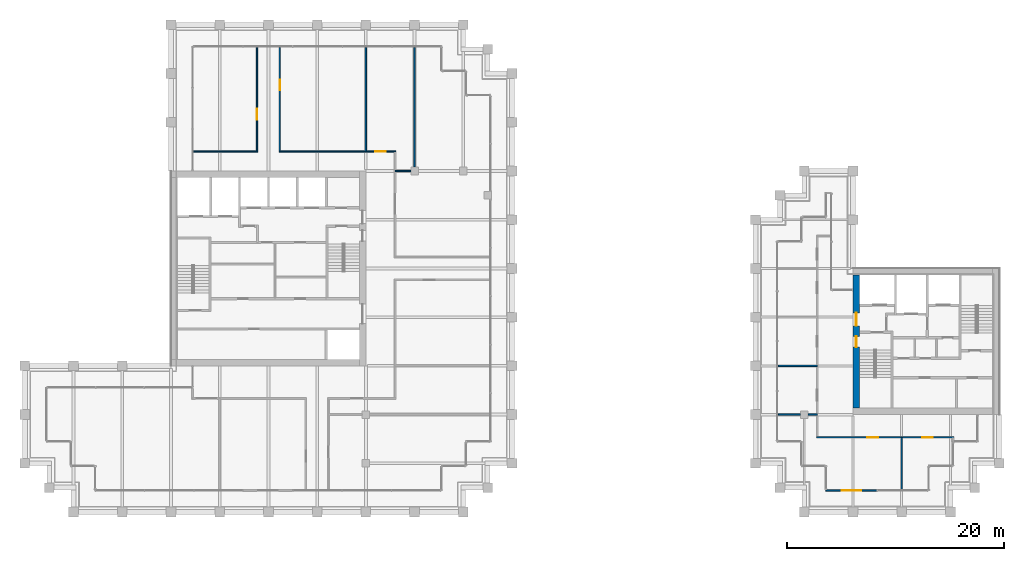
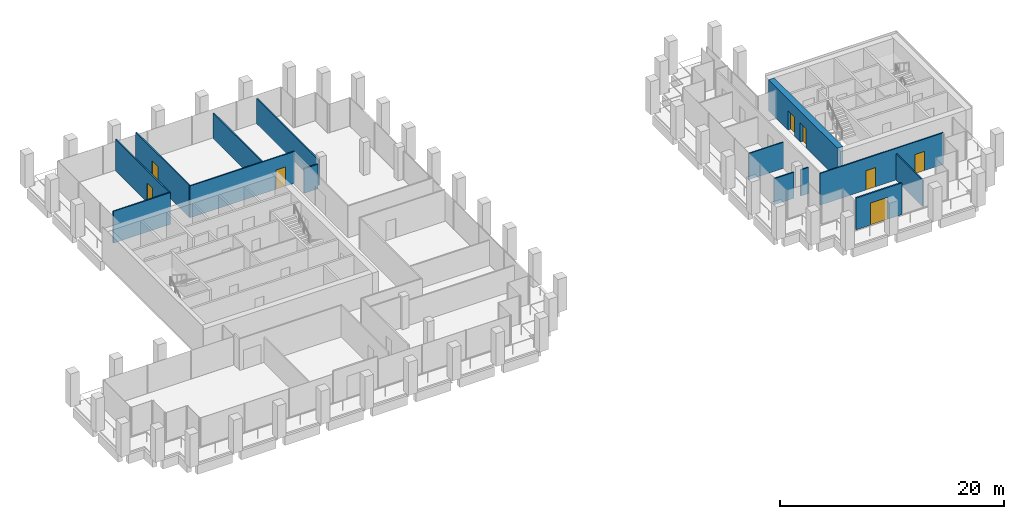
# One storey, part 37 of 40: 14 walls, 8 doors, 8 openings.
"""IFC4 building model written with IfcOpenShell, lengths in metres."""

from ifc_helpers import new_model, si_unit, direction, frame, frame_2d, origin, place, context, subcontext, project, spatial, rectangle, extrude, material, layer, layer_set, type_object, element, fill, save


model = new_model("IFC4")

# Units and contexts
model_context = context("Model", 3, precision=1e-05, world=origin(), true_north=direction((0.0, 1.0)))
body_context = subcontext(model_context, "Body", "Model", "MODEL_VIEW")
ifc_project = project(units=[si_unit("LENGTHUNIT", "METRE"), si_unit("AREAUNIT", "SQUARE_METRE"), si_unit("VOLUMEUNIT", "CUBIC_METRE"), si_unit("PLANEANGLEUNIT", "RADIAN"), si_unit("MASSUNIT", "GRAM", prefix="KILO")], contexts=[model_context])

# Site, building, storey
site_placement = place(None, origin())
site = spatial("IfcSite", under=ifc_project, at=site_placement, CompositionType="ELEMENT")
building_placement = place(site_placement, origin())
building = spatial("IfcBuilding", under=site, at=building_placement, Name="Altepetl Exchange Towers", CompositionType="ELEMENT")
storey_placement = place(building_placement, frame((0.0, 0.0, 183.39990234375)))
storey = spatial("IfcBuildingStorey", under=building, at=storey_placement, Name="L46", CompositionType="ELEMENT", Elevation=183.39990234375)

# Wall, openings, doors
ifc_material_1 = material(Name="Concrete C70/85", Category="concrete")
ifc_layer_1 = layer(ifc_material_1, 0.60009765625)
ifc_layer_set_1 = layer_set([ifc_layer_1], Name="Concrete C70/85")
wall_type_1 = type_object("IfcWallType", Name="Core wall 600 reinforced concrete", PredefinedType="SHEAR", material=ifc_layer_set_1)
wall_1_placement = place(storey_placement, frame((103.800048828125, 36.60009765625, 0.0), z_axis=(0.0, 0.0, 1.0), x_axis=(0.0, 1.0, 0.0)))
wall_1 = element("IfcWall", 1, at=wall_1_placement, inside=storey, type_object=wall_type_1, Name="wall:B:L46:K-coreW", PredefinedType="SHEAR", context=body_context, shape_type="SweptSolid", body=[
    extrude(rectangle(XDim=12.2998046875, YDim=0.60009765625, at=frame_2d((6.14990234375, 0.0))), origin(), (0.0, 0.0, 1.0), 3.35009765625),
])
opening_1_placement = place(wall_1_placement, frame((7.60009765625, 0.0, 0.0)))
opening_1 = element("IfcOpeningElement", 2, at=opening_1_placement, cuts=wall_1, Name="Opening L46.B60", PredefinedType="OPENING", context=body_context, shape_type="SweptSolid", body=[
    extrude(rectangle(XDim=1.199951171875, YDim=2.10009765625, at=frame_2d((0.60009765625, 1.050048828125))), frame((0.0, 0.31005859375, 0.0), z_axis=(0.0, -1.0, 0.0), x_axis=(1.0, 0.0, 0.0)), (0.0, 0.0, 1.0), 0.6201171875),
])
opening_2_placement = place(wall_1_placement, frame((5.625, 0.0, 0.0)))
opening_2 = element("IfcOpeningElement", 3, at=opening_2_placement, cuts=wall_1, Name="Opening L46.B62", PredefinedType="OPENING", context=body_context, shape_type="SweptSolid", body=[
    extrude(rectangle(XDim=1.0, YDim=2.10009765625, at=frame_2d((0.5, 1.050048828125))), frame((0.0, 0.31005859375, 0.0), z_axis=(0.0, -1.0, 0.0), x_axis=(1.0, 0.0, 0.0)), (0.0, 0.0, 1.0), 0.6201171875),
])
ifc_material_2 = material(Name="Steel and timber fire door", Category="steel")
door_type_1 = type_object("IfcDoorType", Name="Fire door 1000 x 2100 stair and lobby", OperationType="SINGLE_SWING_LEFT", PredefinedType="DOOR", material=ifc_material_2)
door_1_placement = place(opening_2_placement, frame((1.0, 0.0, 0.0), x_axis=(-1.0, 0.0, 0.0)))
door_1 = element("IfcDoor", 4, at=door_1_placement, inside=storey, type_object=door_type_1, Name="door:B:L46:K-dS1x", OperationType="SINGLE_SWING_RIGHT", OverallHeight=2.10009765625, OverallWidth=1.0, PredefinedType="DOOR", context=body_context, shape_type="SweptSolid", body=[
    extrude(rectangle(XDim=1.0, YDim=2.10009765625, at=frame_2d((0.5, 1.050048828125))), frame((0.0, 0.02490234375, 0.0), z_axis=(0.0, -1.0, 0.0), x_axis=(1.0, 0.0, 0.0)), (0.0, 0.0, 1.0), 0.050048828125),
])
fill(opening_2, door_1)
door_type_2 = type_object("IfcDoorType", Name="Fire door 1200 x 2100 lobby entry", OperationType="SINGLE_SWING_LEFT", PredefinedType="DOOR", material=ifc_material_2)
door_2_placement = place(opening_1_placement, frame((1.199951171875, 0.0, 0.0), x_axis=(-1.0, 0.0, 0.0)))
door_2 = element("IfcDoor", 5, at=door_2_placement, inside=storey, type_object=door_type_2, Name="door:B:L46:K-dLNW", OperationType="SINGLE_SWING_RIGHT", OverallHeight=2.10009765625, OverallWidth=1.199951171875, PredefinedType="DOOR", context=body_context, shape_type="SweptSolid", body=[
    extrude(rectangle(XDim=1.199951171875, YDim=2.10009765625, at=frame_2d((0.60009765625, 1.050048828125))), frame((0.0, 0.02490234375, 0.0), z_axis=(0.0, -1.0, 0.0), x_axis=(1.0, 0.0, 0.0)), (0.0, 0.0, 1.0), 0.050048828125),
])
fill(opening_1, door_2)

# Wall, opening, door
ifc_material_3 = material(Name="Aluminium composite cladding", Category="aluminium")
ifc_layer_2 = layer(ifc_material_3, 0.14990234375)
ifc_layer_set_2 = layer_set([ifc_layer_2], Name="Aluminium composite cladding")
wall_type_2 = type_object("IfcWallType", Name="Infill wall 150 aluminium panel", PredefinedType="SOLIDWALL", material=ifc_layer_set_2)
wall_2_placement = place(storey_placement, frame((101.0, 29.0, 0.0)))
wall_2 = element("IfcWall", 6, at=wall_2_placement, inside=storey, type_object=wall_type_2, Name="Loggia door bay wall", PredefinedType="SOLIDWALL", context=body_context, shape_type="SweptSolid", body=[
    extrude(rectangle(XDim=4.71240234375, YDim=0.14990234375, at=frame_2d((2.356201171875, 0.0))), origin(), (0.0, 0.0, 1.0), 3.4501953125),
])
opening_3_placement = place(wall_2_placement, frame((1.456298828125, 0.0, 0.0)))
opening_3 = element("IfcOpeningElement", 7, at=opening_3_placement, cuts=wall_2, Name="Opening L46.B90", PredefinedType="OPENING", context=body_context, shape_type="SweptSolid", body=[
    extrude(rectangle(XDim=1.800048828125, YDim=2.39990234375, at=frame_2d((0.89990234375, 1.199951171875))), frame((0.0, 0.0849609375, 0.0), z_axis=(0.0, -1.0, 0.0), x_axis=(1.0, 0.0, 0.0)), (0.0, 0.0, 1.0), 0.169921875),
])
ifc_material_4 = material(Name="Aluminium 6063-T6 and glass", Category="aluminium")
door_type_3 = type_object("IfcDoorType", Name="Glazed door pair 1800x2400", OperationType="DOUBLE_DOOR_DOUBLE_SWING", PredefinedType="NOTDEFINED", material=ifc_material_4)
door_3_placement = place(opening_3_placement, frame((1.800048828125, 0.0, 0.0), x_axis=(-1.0, 0.0, 0.0)))
door_3 = element("IfcDoor", 8, at=door_3_placement, inside=storey, type_object=door_type_3, Name="Loggia door", OperationType="DOUBLE_DOOR_DOUBLE_SWING", OverallHeight=2.39990234375, OverallWidth=1.800048828125, PredefinedType="NOTDEFINED", context=body_context, shape_type="SweptSolid", body=[
    extrude(rectangle(XDim=1.800048828125, YDim=2.39990234375, at=frame_2d((0.89990234375, 1.199951171875))), frame((0.0, 0.02490234375, 0.0), z_axis=(0.0, -1.0, 0.0), x_axis=(1.0, 0.0, 0.0)), (0.0, 0.0, 1.0), 0.050048828125),
])
fill(opening_3, door_3)

# Walls
ifc_material_5 = material(Name="Gypsum board on steel studs", Category="steel")
ifc_layer_3 = layer(ifc_material_5, 0.125)
ifc_layer_set_3 = layer_set([ifc_layer_3], Name="Gypsum board on steel studs")
wall_type_3 = type_object("IfcWallType", Name="Partition 125 gypsum board on steel studs", PredefinedType="PARTITIONING", material=ifc_layer_set_3)
wall_3_placement = place(storey_placement, frame((61.199951171875, 58.5, 0.0)))
element("IfcWall", 9, at=wall_3_placement, inside=storey, type_object=wall_type_3, Name="wall:A:L46:P08", PredefinedType="PARTITIONING", context=body_context, shape_type="SweptSolid", body=[
    extrude(rectangle(XDim=1.449951171875, YDim=0.125, at=frame_2d((0.72509765625, 0.0))), origin(), (0.0, 0.0, 1.0), 2.676025390625),
])
wall_4_placement = place(storey_placement, frame((42.60009765625, 60.300048828125, 0.0)))
element("IfcWall", 10, at=wall_4_placement, inside=storey, type_object=wall_type_3, Name="wall:A:L46:P09", PredefinedType="PARTITIONING", context=body_context, shape_type="SweptSolid", body=[
    extrude(rectangle(XDim=5.912353515625, YDim=0.125, at=frame_2d((2.9560546875, 0.0))), origin(), (0.0, 0.0, 1.0), 3.4501953125),
])

# Wall, opening, door
wall_5_placement = place(storey_placement, frame((50.487548828125, 60.300048828125, 0.0)))
wall_5 = element("IfcWall", 11, at=wall_5_placement, inside=storey, type_object=wall_type_3, Name="wall:A:L46:P10", PredefinedType="PARTITIONING", context=body_context, shape_type="SweptSolid", body=[
    extrude(rectangle(XDim=10.77490234375, YDim=0.125, at=frame_2d((5.387451171875, 0.0))), origin(), (0.0, 0.0, 1.0), 3.4501953125),
])
opening_4_placement = place(wall_5_placement, frame((8.862548828125, 0.0, 0.0)))
opening_4 = element("IfcOpeningElement", 12, at=opening_4_placement, cuts=wall_5, Name="Opening L46.A07", PredefinedType="OPENING", context=body_context, shape_type="SweptSolid", body=[
    extrude(rectangle(XDim=1.0, YDim=2.10009765625, at=frame_2d((0.5, 1.050048828125))), frame((0.0, 0.072509765625, 0.0), z_axis=(0.0, -1.0, 0.0), x_axis=(1.0, 0.0, 0.0)), (0.0, 0.0, 1.0), 0.14501953125),
])
door_type_4 = type_object("IfcDoorType", Name="Fire door 1000 x 2100 single leaf", OperationType="SINGLE_SWING_LEFT", PredefinedType="DOOR", material=ifc_material_2)
door_4_placement = place(opening_4_placement, origin())
door_4 = element("IfcDoor", 13, at=door_4_placement, inside=storey, type_object=door_type_4, Name="door:A:L46:07", OperationType="SINGLE_SWING_RIGHT", OverallHeight=2.10009765625, OverallWidth=1.0, PredefinedType="DOOR", context=body_context, shape_type="SweptSolid", body=[
    extrude(rectangle(XDim=1.0, YDim=2.10009765625, at=frame_2d((0.5, 1.050048828125))), frame((0.0, 0.02490234375, 0.0), z_axis=(0.0, -1.0, 0.0), x_axis=(1.0, 0.0, 0.0)), (0.0, 0.0, 1.0), 0.050048828125),
])
fill(opening_4, door_4)

wall_6_placement = place(storey_placement, frame((48.449951171875, 60.362548828125, 0.0), z_axis=(0.0, 0.0, 1.0), x_axis=(0.0, 1.0, 0.0)))
wall_6 = element("IfcWall", 14, at=wall_6_placement, inside=storey, type_object=wall_type_3, Name="wall:A:L46:P13", PredefinedType="PARTITIONING", context=body_context, shape_type="SweptSolid", body=[
    extrude(rectangle(XDim=9.537353515625, YDim=0.125, at=frame_2d((4.7685546875, 0.0))), origin(), (0.0, 0.0, 1.0), 3.4501953125),
])
opening_5_placement = place(wall_6_placement, frame((2.889404296875, 0.0, 0.0)))
opening_5 = element("IfcOpeningElement", 15, at=opening_5_placement, cuts=wall_6, Name="Opening L46.A08", PredefinedType="OPENING", context=body_context, shape_type="SweptSolid", body=[
    extrude(rectangle(XDim=1.0, YDim=2.10009765625, at=frame_2d((0.5, 1.050048828125))), frame((0.0, 0.072509765625, 0.0), z_axis=(0.0, -1.0, 0.0), x_axis=(1.0, 0.0, 0.0)), (0.0, 0.0, 1.0), 0.14501953125),
])
door_5_placement = place(opening_5_placement, origin())
door_5 = element("IfcDoor", 16, at=door_5_placement, inside=storey, type_object=door_type_4, Name="door:A:L46:08", OperationType="SINGLE_SWING_RIGHT", OverallHeight=2.10009765625, OverallWidth=1.0, PredefinedType="DOOR", context=body_context, shape_type="SweptSolid", body=[
    extrude(rectangle(XDim=1.0, YDim=2.10009765625, at=frame_2d((0.5, 1.050048828125))), frame((0.0, 0.02490234375, 0.0), z_axis=(0.0, -1.0, 0.0), x_axis=(1.0, 0.0, 0.0)), (0.0, 0.0, 1.0), 0.050048828125),
])
fill(opening_5, door_5)

wall_7_placement = place(storey_placement, frame((50.550048828125, 60.362548828125, 0.0), z_axis=(0.0, 0.0, 1.0), x_axis=(0.0, 1.0, 0.0)))
wall_7 = element("IfcWall", 17, at=wall_7_placement, inside=storey, type_object=wall_type_3, Name="wall:A:L46:P14", PredefinedType="PARTITIONING", context=body_context, shape_type="SweptSolid", body=[
    extrude(rectangle(XDim=9.537353515625, YDim=0.125, at=frame_2d((4.7685546875, 0.0))), origin(), (0.0, 0.0, 1.0), 3.4501953125),
])
opening_6_placement = place(wall_7_placement, frame((5.58447265625, 0.0, 0.0)))
opening_6 = element("IfcOpeningElement", 18, at=opening_6_placement, cuts=wall_7, Name="Opening L46.A09", PredefinedType="OPENING", context=body_context, shape_type="SweptSolid", body=[
    extrude(rectangle(XDim=1.0, YDim=2.10009765625, at=frame_2d((0.5, 1.050048828125))), frame((0.0, 0.072509765625, 0.0), z_axis=(0.0, -1.0, 0.0), x_axis=(1.0, 0.0, 0.0)), (0.0, 0.0, 1.0), 0.14501953125),
])
door_6_placement = place(opening_6_placement, frame((1.0, 0.0, 0.0), x_axis=(-1.0, 0.0, 0.0)))
door_6 = element("IfcDoor", 19, at=door_6_placement, inside=storey, type_object=door_type_4, Name="door:A:L46:09", OperationType="SINGLE_SWING_RIGHT", OverallHeight=2.10009765625, OverallWidth=1.0, PredefinedType="DOOR", context=body_context, shape_type="SweptSolid", body=[
    extrude(rectangle(XDim=1.0, YDim=2.10009765625, at=frame_2d((0.5, 1.050048828125))), frame((0.0, 0.02490234375, 0.0), z_axis=(0.0, -1.0, 0.0), x_axis=(1.0, 0.0, 0.0)), (0.0, 0.0, 1.0), 0.050048828125),
])
fill(opening_6, door_6)

# Walls
wall_8_placement = place(storey_placement, frame((58.5, 60.300048828125, 0.0), z_axis=(0.0, 0.0, 1.0), x_axis=(0.0, 1.0, 0.0)))
element("IfcWall", 20, at=wall_8_placement, inside=storey, type_object=wall_type_3, Name="wall:A:L46:P17", PredefinedType="PARTITIONING", context=body_context, shape_type="SweptSolid", body=[
    extrude(rectangle(XDim=9.599853515625, YDim=0.125, at=frame_2d((4.7998046875, 0.0))), origin(), (0.0, 0.0, 1.0), 2.76611328125),
])
wall_9_placement = place(storey_placement, frame((63.0, 58.85009765625, 0.0), z_axis=(0.0, 0.0, 1.0), x_axis=(0.0, 1.0, 0.0)))
element("IfcWall", 21, at=wall_9_placement, inside=storey, type_object=wall_type_3, Name="wall:A:L46:P20", PredefinedType="PARTITIONING", context=body_context, shape_type="SweptSolid", body=[
    extrude(rectangle(XDim=11.0498046875, YDim=0.125, at=frame_2d((5.52490234375, 0.0))), origin(), (0.0, 0.0, 1.0), 2.76611328125),
])

# Wall, openings, doors
wall_10_placement = place(storey_placement, frame((100.137451171875, 33.89990234375, 0.0)))
wall_10 = element("IfcWall", 22, at=wall_10_placement, inside=storey, type_object=wall_type_3, Name="wall:B:L46:P01", PredefinedType="PARTITIONING", context=body_context, shape_type="SweptSolid", body=[
    extrude(rectangle(XDim=12.675048828125, YDim=0.125, at=frame_2d((6.33740234375, 0.0))), origin(), (0.0, 0.0, 1.0), 3.4501953125),
])
opening_7_placement = place(wall_10_placement, frame((4.6904296875, 0.0, 0.0)))
opening_7 = element("IfcOpeningElement", 23, at=opening_7_placement, cuts=wall_10, Name="Opening L46.B03", PredefinedType="OPENING", context=body_context, shape_type="SweptSolid", body=[
    extrude(rectangle(XDim=1.0, YDim=2.10009765625, at=frame_2d((0.5, 1.050048828125))), frame((0.0, 0.072509765625, 0.0), z_axis=(0.0, -1.0, 0.0), x_axis=(1.0, 0.0, 0.0)), (0.0, 0.0, 1.0), 0.14501953125),
])
opening_8_placement = place(wall_10_placement, frame((9.737548828125, 0.0, 0.0)))
opening_8 = element("IfcOpeningElement", 24, at=opening_8_placement, cuts=wall_10, Name="Opening L46.B04", PredefinedType="OPENING", context=body_context, shape_type="SweptSolid", body=[
    extrude(rectangle(XDim=1.0, YDim=2.10009765625, at=frame_2d((0.5, 1.050048828125))), frame((0.0, 0.072509765625, 0.0), z_axis=(0.0, -1.0, 0.0), x_axis=(1.0, 0.0, 0.0)), (0.0, 0.0, 1.0), 0.14501953125),
])
door_7_placement = place(opening_7_placement, frame((1.0, 0.0, 0.0), x_axis=(-1.0, 0.0, 0.0)))
door_7 = element("IfcDoor", 25, at=door_7_placement, inside=storey, type_object=door_type_4, Name="door:B:L46:03", OperationType="SINGLE_SWING_LEFT", OverallHeight=2.10009765625, OverallWidth=1.0, PredefinedType="DOOR", context=body_context, shape_type="SweptSolid", body=[
    extrude(rectangle(XDim=1.0, YDim=2.10009765625, at=frame_2d((0.5, 1.050048828125))), frame((0.0, 0.02490234375, 0.0), z_axis=(0.0, -1.0, 0.0), x_axis=(1.0, 0.0, 0.0)), (0.0, 0.0, 1.0), 0.050048828125),
])
fill(opening_7, door_7)
door_8_placement = place(opening_8_placement, frame((1.0, 0.0, 0.0), x_axis=(-1.0, 0.0, 0.0)))
door_8 = element("IfcDoor", 26, at=door_8_placement, inside=storey, type_object=door_type_4, Name="door:B:L46:04", OperationType="SINGLE_SWING_RIGHT", OverallHeight=2.10009765625, OverallWidth=1.0, PredefinedType="DOOR", context=body_context, shape_type="SweptSolid", body=[
    extrude(rectangle(XDim=1.0, YDim=2.10009765625, at=frame_2d((0.5, 1.050048828125))), frame((0.0, 0.02490234375, 0.0), z_axis=(0.0, -1.0, 0.0), x_axis=(1.0, 0.0, 0.0)), (0.0, 0.0, 1.0), 0.050048828125),
])
fill(opening_8, door_8)

# Walls
wall_11_placement = place(storey_placement, frame((96.60009765625, 36.0, 0.0)))
element("IfcWall", 27, at=wall_11_placement, inside=storey, type_object=wall_type_3, Name="wall:B:L46:P02", PredefinedType="PARTITIONING", context=body_context, shape_type="SweptSolid", body=[
    extrude(rectangle(XDim=2.0498046875, YDim=0.125, at=frame_2d((1.02490234375, 0.0))), origin(), (0.0, 0.0, 1.0), 2.842041015625),
])
wall_12_placement = place(storey_placement, frame((99.35009765625, 36.0, 0.0)))
element("IfcWall", 28, at=wall_12_placement, inside=storey, type_object=wall_type_3, Name="wall:B:L46:P03", PredefinedType="PARTITIONING", context=body_context, shape_type="SweptSolid", body=[
    extrude(rectangle(XDim=0.849853515625, YDim=0.125, at=frame_2d((0.4248046875, 0.0))), origin(), (0.0, 0.0, 1.0), 2.842041015625),
])
wall_13_placement = place(storey_placement, frame((96.60009765625, 40.5, 0.0)))
element("IfcWall", 29, at=wall_13_placement, inside=storey, type_object=wall_type_3, Name="wall:B:L46:P04", PredefinedType="PARTITIONING", context=body_context, shape_type="SweptSolid", body=[
    extrude(rectangle(XDim=3.599853515625, YDim=0.125, at=frame_2d((1.7998046875, 0.0))), origin(), (0.0, 0.0, 1.0), 2.85107421875),
])
wall_14_placement = place(storey_placement, frame((108.0, 29.10009765625, 0.0), z_axis=(0.0, 0.0, 1.0), x_axis=(0.0, 1.0, 0.0)))
element("IfcWall", 30, at=wall_14_placement, inside=storey, type_object=wall_type_3, Name="wall:B:L46:P09", PredefinedType="PARTITIONING", context=body_context, shape_type="SweptSolid", body=[
    extrude(rectangle(XDim=4.7998046875, YDim=0.125, at=frame_2d((2.39990234375, 0.0))), origin(), (0.0, 0.0, 1.0), 2.85107421875),
])

save(model, "model.ifc")
